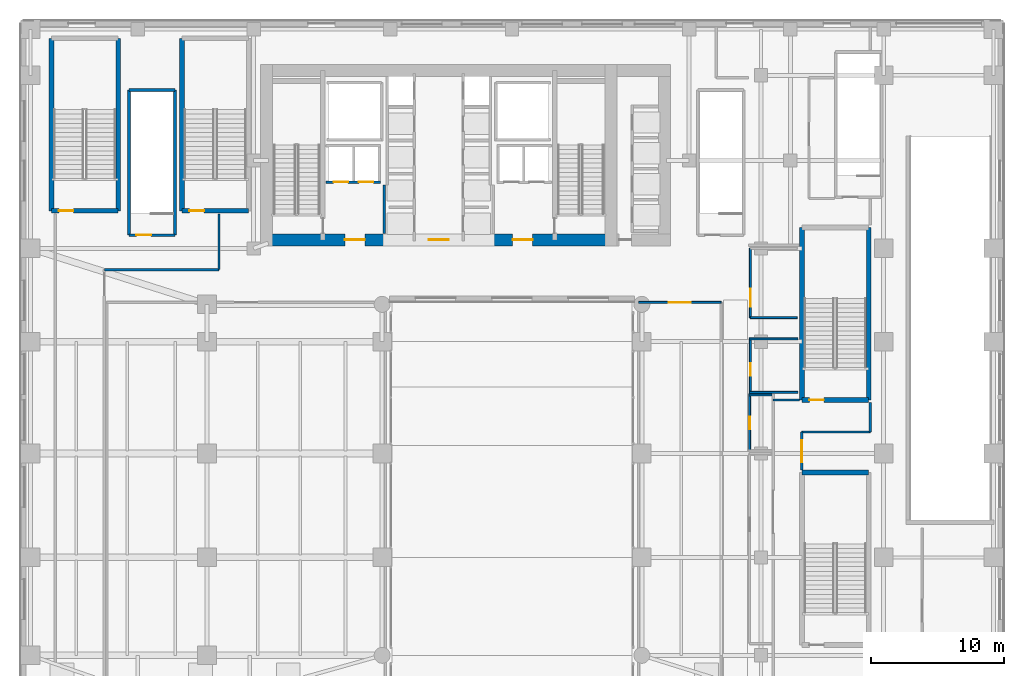
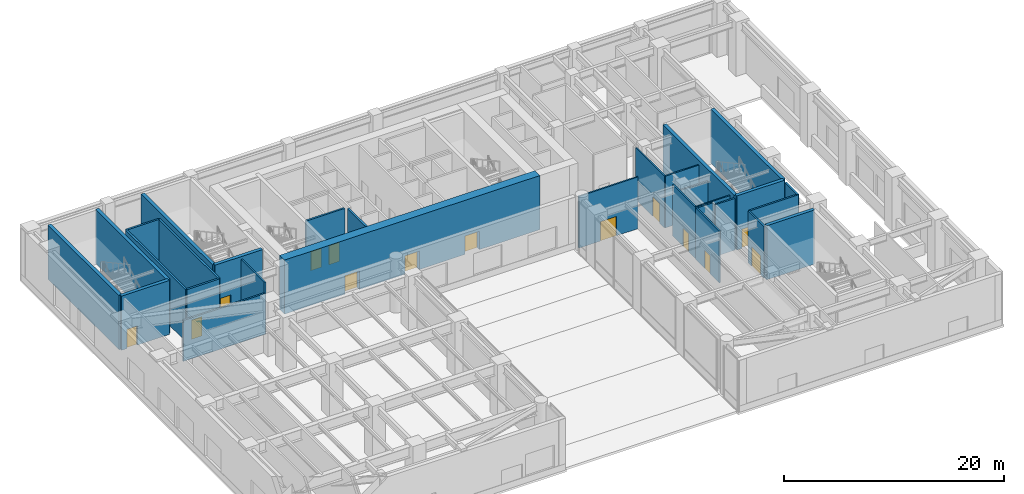
# One storey, part 14 of 28: 30 walls, 14 doors, 14 openings.
"""IFC4 building model written with IfcOpenShell, lengths in metres."""

from ifc_helpers import new_model, si_unit, direction, frame, frame_2d, origin, place, context, subcontext, project, spatial, rectangle, extrude, source, transform, mapped, material, layer, layer_set, type_object, type_shapes, element, fill, save


model = new_model("IFC4")

# Units and contexts
model_context = context("Model", 3, precision=1e-05, world=origin(), true_north=direction((0.0, 1.0)))
body_context = subcontext(model_context, "Body", "Model", "MODEL_VIEW")
ifc_project = project(units=[si_unit("LENGTHUNIT", "METRE"), si_unit("AREAUNIT", "SQUARE_METRE"), si_unit("VOLUMEUNIT", "CUBIC_METRE"), si_unit("PLANEANGLEUNIT", "RADIAN"), si_unit("MASSUNIT", "GRAM", prefix="KILO")], contexts=[model_context])

# Site, building, storey
site_placement = place(None, origin())
site = spatial("IfcSite", under=ifc_project, at=site_placement, CompositionType="ELEMENT")
building_placement = place(site_placement, origin())
building = spatial("IfcBuilding", under=site, at=building_placement, Name="Tolvann Quenvar Hotel", CompositionType="ELEMENT")
storey_placement = place(building_placement, origin())
storey = spatial("IfcBuildingStorey", under=building, at=storey_placement, Name="L00", CompositionType="ELEMENT", Elevation=0.0)

# Wall, openings, doors
ifc_material_1 = material(Name="Concrete S80 (80 MPa)", Category="concrete")
ifc_layer_1 = layer(ifc_material_1, 0.89990234375)
ifc_layer_set_1 = layer_set([ifc_layer_1], Name="Concrete S80 (80 MPa)")
wall_type_1 = type_object("IfcWallType", Name="WALL_CORE_900", PredefinedType="SHEAR", material=ifc_layer_set_1)
wall_1_placement = place(storey_placement, frame((9.60009765625, 32.050048828125, 0.0), z_axis=(0.0, 0.0, 1.0), x_axis=(1.0, 0.0, 0.0)))
wall_1 = element("IfcWall", 1, at=wall_1_placement, inside=storey, type_object=wall_type_1, Name="Rear Core S Shear Wall (L00)", PredefinedType="SHEAR", context=body_context, shape_type="SweptSolid", body=[
    extrude(rectangle(XDim=26.7998046875, YDim=0.89990234375, at=frame_2d((13.39990234375, 0.0))), origin(), (0.0, 0.0, 1.0), 6.0),
])
opening_1_placement = place(wall_1_placement, frame((7.85009765625, 0.0, 0.0), z_axis=(0.0, 0.0, 1.0), x_axis=(-1.0, 0.0, 0.0)))
opening_1 = element("IfcOpeningElement", 2, at=opening_1_placement, cuts=wall_1, Name="Opening FD-60D", PredefinedType="OPENING", context=body_context, shape_type="SweptSolid", body=[
    extrude(rectangle(XDim=1.5, YDim=2.0400390625, at=frame_2d((0.75, 1.02001953125))), frame((0.0, 0.4599609375, 0.0), z_axis=(0.0, -1.0, 0.0), x_axis=(1.0, 0.0, 0.0)), (0.0, 0.0, 1.0), 0.919921875),
])
opening_2_placement = place(wall_1_placement, frame((14.14990234375, 0.0, 0.0), z_axis=(0.0, 0.0, 1.0), x_axis=(-1.0, 0.0, 0.0)))
opening_2 = element("IfcOpeningElement", 3, at=opening_2_placement, cuts=wall_1, Name="Opening FD-60D", PredefinedType="OPENING", context=body_context, shape_type="SweptSolid", body=[
    extrude(rectangle(XDim=1.5, YDim=2.0400390625, at=frame_2d((0.75, 1.02001953125))), frame((0.0, 0.4599609375, 0.0), z_axis=(0.0, -1.0, 0.0), x_axis=(1.0, 0.0, 0.0)), (0.0, 0.0, 1.0), 0.919921875),
])
opening_3_placement = place(wall_1_placement, frame((20.449951171875, 0.0, 0.0), z_axis=(0.0, 0.0, 1.0), x_axis=(-1.0, 0.0, 0.0)))
opening_3 = element("IfcOpeningElement", 4, at=opening_3_placement, cuts=wall_1, Name="Opening FD-60D", PredefinedType="OPENING", context=body_context, shape_type="SweptSolid", body=[
    extrude(rectangle(XDim=1.5, YDim=2.0400390625, at=frame_2d((0.75, 1.02001953125))), frame((0.0, 0.4599609375, 0.0), z_axis=(0.0, -1.0, 0.0), x_axis=(1.0, 0.0, 0.0)), (0.0, 0.0, 1.0), 0.919921875),
])
ifc_material_2 = material(Name="Solid-core American oak acoustic fire door leaf in steel frame", Category="steel")
door_type_1 = type_object("IfcDoorType", Name="DOOR_FIRE_LOBBY_1500", OperationType="NOTDEFINED", PredefinedType="DOOR", material=ifc_material_2)
shared_shape_1 = source(origin(), body_context, "Body", "SweptSolid", [
    extrude(rectangle(XDim=1.5, YDim=2.0400390625, at=frame_2d((0.75, 1.02001953125))), frame((0.0, 0.02490234375, 0.0), z_axis=(0.0, -1.0, 0.0), x_axis=(1.0, 0.0, 0.0)), (0.0, 0.0, 1.0), 0.050048828125),
])
type_shapes(door_type_1, [shared_shape_1])
door_1_placement = place(opening_1_placement, origin())
door_1 = element("IfcDoor", 5, at=door_1_placement, inside=storey, type_object=door_type_1, Name="Core Lobby Fire Door FFW (L00)", OperationType="DOUBLE_DOOR_SINGLE_SWING", OverallHeight=2.0400390625, OverallWidth=1.5, PredefinedType="DOOR", context=body_context, shape_type="MappedRepresentation", body=[
    mapped(shared_shape_1, transform((0.0, 0.0, 0.0), x_axis=(1.0, 0.0, 0.0), y_axis=(0.0, 1.0, 0.0), z_axis=(0.0, 0.0, 1.0), scale=1.0)),
])
fill(opening_1, door_1)
door_2_placement = place(opening_2_placement, origin())
door_2 = element("IfcDoor", 6, at=door_2_placement, inside=storey, type_object=door_type_1, Name="Core Lobby Fire Door CLOB (L00)", OperationType="DOUBLE_DOOR_SINGLE_SWING", OverallHeight=2.0400390625, OverallWidth=1.5, PredefinedType="DOOR", context=body_context, shape_type="MappedRepresentation", body=[
    mapped(shared_shape_1, transform((0.0, 0.0, 0.0), x_axis=(1.0, 0.0, 0.0), y_axis=(0.0, 1.0, 0.0), z_axis=(0.0, 0.0, 1.0), scale=1.0)),
])
fill(opening_2, door_2)
door_3_placement = place(opening_3_placement, origin())
door_3 = element("IfcDoor", 7, at=door_3_placement, inside=storey, type_object=door_type_1, Name="Core Lobby Fire Door FFE (L00)", OperationType="DOUBLE_DOOR_SINGLE_SWING", OverallHeight=2.0400390625, OverallWidth=1.5, PredefinedType="DOOR", context=body_context, shape_type="MappedRepresentation", body=[
    mapped(shared_shape_1, transform((0.0, 0.0, 0.0), x_axis=(1.0, 0.0, 0.0), y_axis=(0.0, 1.0, 0.0), z_axis=(0.0, 0.0, 1.0), scale=1.0)),
])
fill(opening_3, door_3)

# Wall, opening, door
ifc_material_3 = material(Name="Concrete S65 (65 MPa)", Category="concrete")
ifc_layer_2 = layer(ifc_material_3, 0.35009765625)
ifc_layer_set_2 = layer_set([ifc_layer_2], Name="Concrete S65 (65 MPa)")
wall_type_2 = type_object("IfcWallType", Name="WALL_CORE_INT_350", PredefinedType="SHEAR", material=ifc_layer_set_2)
wall_2_placement = place(storey_placement, frame((-6.074951171875, 34.22509765625, 0.0), z_axis=(0.0, 0.0, 1.0), x_axis=(1.0, 0.0, 0.0)))
wall_2 = element("IfcWall", 8, at=wall_2_placement, inside=storey, type_object=wall_type_2, Name="Stairwell ST-P1 Structural Shaft Wall S (L00)", PredefinedType="SHEAR", context=body_context, shape_type="SweptSolid", body=[
    extrude(rectangle(XDim=5.0, YDim=0.35009765625, at=frame_2d((2.5, 0.0))), origin(), (0.0, 0.0, 1.0), 6.0),
])
opening_4_placement = place(wall_2_placement, frame((1.650146484375, 0.0, 0.0), z_axis=(0.0, 0.0, 1.0), x_axis=(-1.0, 0.0, 0.0)))
opening_4 = element("IfcOpeningElement", 9, at=opening_4_placement, cuts=wall_2, Name="Opening FD-120", PredefinedType="OPENING", context=body_context, shape_type="SweptSolid", body=[
    extrude(rectangle(XDim=1.10009765625, YDim=2.1201171875, at=frame_2d((0.550048828125, 1.06005859375))), frame((0.0, 0.18505859375, 0.0), z_axis=(0.0, -1.0, 0.0), x_axis=(1.0, 0.0, 0.0)), (0.0, 0.0, 1.0), 0.3701171875),
])
ifc_material_4 = material(Name="Pressed galvanised steel fire-rated door set", Category="steel")
door_type_2 = type_object("IfcDoorType", Name="DOOR_FIRE_STAIR_1100", OperationType="NOTDEFINED", PredefinedType="DOOR", material=ifc_material_4)
shared_shape_2 = source(origin(), body_context, "Body", "SweptSolid", [
    extrude(rectangle(XDim=1.10009765625, YDim=2.1201171875, at=frame_2d((0.550048828125, 1.06005859375))), frame((0.0, 0.02490234375, 0.0), z_axis=(0.0, -1.0, 0.0), x_axis=(1.0, 0.0, 0.0)), (0.0, 0.0, 1.0), 0.050048828125),
])
type_shapes(door_type_2, [shared_shape_2])
door_4_placement = place(opening_4_placement, origin())
door_4 = element("IfcDoor", 10, at=door_4_placement, inside=storey, type_object=door_type_2, Name="Exit Stair ST-P1 Fire Door (L00)", OperationType="SINGLE_SWING_LEFT", OverallHeight=2.1201171875, OverallWidth=1.10009765625, PredefinedType="DOOR", context=body_context, shape_type="MappedRepresentation", body=[
    mapped(shared_shape_2, transform((0.0, 0.0, 0.0), x_axis=(1.0, 0.0, 0.0), y_axis=(0.0, 1.0, 0.0), z_axis=(0.0, 0.0, 1.0), scale=1.0)),
])
fill(opening_4, door_4)

# Walls
for number, where, z_axis, x_axis, name in (
    (11, (-1.074951171875, 34.22509765625, 0.0), (0.0, 0.0, 1.0), (0.0, 1.0, 0.0), "Stairwell ST-P1 Structural Shaft Wall E (L00)"),
    (12, (-6.074951171875, 47.175048828125, 0.0), (0.0, 0.0, 1.0), (0.0, -1.0, 0.0), "Stairwell ST-P1 Structural Shaft Wall W (L00)"),
):
    element("IfcWall", number, at=place(storey_placement, frame(where, z_axis=z_axis, x_axis=x_axis)), inside=storey, type_object=wall_type_2, Name=name, PredefinedType="SHEAR", context=body_context, shape_type="SweptSolid", body=[
        extrude(rectangle(XDim=12.949951171875, YDim=0.35009765625, at=frame_2d((6.47509765625, 0.0))), origin(), (0.0, 0.0, 1.0), 6.0),
    ])

# Wall, opening, door
wall_3_placement = place(storey_placement, frame((3.72509765625, 34.22509765625, 0.0), z_axis=(0.0, 0.0, 1.0), x_axis=(1.0, 0.0, 0.0)))
wall_3 = element("IfcWall", 13, at=wall_3_placement, inside=storey, type_object=wall_type_2, Name="Stairwell ST-P2 Structural Shaft Wall S (L00)", PredefinedType="SHEAR", context=body_context, shape_type="SweptSolid", body=[
    extrude(rectangle(XDim=5.0, YDim=0.35009765625, at=frame_2d((2.5, 0.0))), origin(), (0.0, 0.0, 1.0), 6.0),
])
opening_5_placement = place(wall_3_placement, frame((1.650146484375, 0.0, 0.0), z_axis=(0.0, 0.0, 1.0), x_axis=(-1.0, 0.0, 0.0)))
opening_5 = element("IfcOpeningElement", 14, at=opening_5_placement, cuts=wall_3, Name="Opening FD-120", PredefinedType="OPENING", context=body_context, shape_type="SweptSolid", body=[
    extrude(rectangle(XDim=1.10009765625, YDim=2.1201171875, at=frame_2d((0.550048828125, 1.06005859375))), frame((0.0, 0.18505859375, 0.0), z_axis=(0.0, -1.0, 0.0), x_axis=(1.0, 0.0, 0.0)), (0.0, 0.0, 1.0), 0.3701171875),
])
door_5_placement = place(opening_5_placement, origin())
door_5 = element("IfcDoor", 15, at=door_5_placement, inside=storey, type_object=door_type_2, Name="Exit Stair ST-P2 Fire Door (L00)", OperationType="SINGLE_SWING_RIGHT", OverallHeight=2.1201171875, OverallWidth=1.10009765625, PredefinedType="DOOR", context=body_context, shape_type="MappedRepresentation", body=[
    mapped(shared_shape_2, transform((0.0, 0.0, 0.0), x_axis=(1.0, 0.0, 0.0), y_axis=(0.0, 1.0, 0.0), z_axis=(0.0, 0.0, 1.0), scale=1.0)),
])
fill(opening_5, door_5)

# Walls
wall_4_placement = place(storey_placement, frame((3.72509765625, 47.175048828125, 0.0), z_axis=(0.0, 0.0, 1.0), x_axis=(0.0, -1.0, 0.0)))
element("IfcWall", 16, at=wall_4_placement, inside=storey, type_object=wall_type_2, Name="Stairwell ST-P2 Structural Shaft Wall W (L00)", PredefinedType="SHEAR", context=body_context, shape_type="SweptSolid", body=[
    extrude(rectangle(XDim=12.949951171875, YDim=0.35009765625, at=frame_2d((6.47509765625, 0.0))), origin(), (0.0, 0.0, 1.0), 6.0),
])
wall_5_placement = place(storey_placement, frame((55.27490234375, 14.574951171875, 0.0), z_axis=(0.0, 0.0, 1.0), x_axis=(-1.0, 0.0, 0.0)))
element("IfcWall", 17, at=wall_5_placement, inside=storey, type_object=wall_type_2, Name="Stairwell ST-P3 Structural Shaft Wall N (L00)", PredefinedType="SHEAR", context=body_context, shape_type="SweptSolid", body=[
    extrude(rectangle(XDim=5.0, YDim=0.35009765625, at=frame_2d((2.5, 0.0))), origin(), (0.0, 0.0, 1.0), 6.0),
])

# Wall, opening, door
wall_6_placement = place(storey_placement, frame((50.27490234375, 20.02490234375, 0.0), z_axis=(0.0, 0.0, 1.0), x_axis=(1.0, 0.0, 0.0)))
wall_6 = element("IfcWall", 18, at=wall_6_placement, inside=storey, type_object=wall_type_2, Name="Stairwell ST-P4 Structural Shaft Wall S (L00)", PredefinedType="SHEAR", context=body_context, shape_type="SweptSolid", body=[
    extrude(rectangle(XDim=5.0, YDim=0.35009765625, at=frame_2d((2.5, 0.0))), origin(), (0.0, 0.0, 1.0), 6.0),
])
opening_6_placement = place(wall_6_placement, frame((1.650146484375, 0.0, 0.0), z_axis=(0.0, 0.0, 1.0), x_axis=(-1.0, 0.0, 0.0)))
opening_6 = element("IfcOpeningElement", 19, at=opening_6_placement, cuts=wall_6, Name="Opening FD-120", PredefinedType="OPENING", context=body_context, shape_type="SweptSolid", body=[
    extrude(rectangle(XDim=1.10009765625, YDim=2.1201171875, at=frame_2d((0.550048828125, 1.06005859375))), frame((0.0, 0.18505859375, 0.0), z_axis=(0.0, -1.0, 0.0), x_axis=(1.0, 0.0, 0.0)), (0.0, 0.0, 1.0), 0.3701171875),
])
door_6_placement = place(opening_6_placement, origin())
door_6 = element("IfcDoor", 20, at=door_6_placement, inside=storey, type_object=door_type_2, Name="Exit Stair ST-P4 Fire Door (L00)", OperationType="SINGLE_SWING_RIGHT", OverallHeight=2.1201171875, OverallWidth=1.10009765625, PredefinedType="DOOR", context=body_context, shape_type="MappedRepresentation", body=[
    mapped(shared_shape_2, transform((0.0, 0.0, 0.0), x_axis=(1.0, 0.0, 0.0), y_axis=(0.0, 1.0, 0.0), z_axis=(0.0, 0.0, 1.0), scale=1.0)),
])
fill(opening_6, door_6)

# Walls
for number, where, z_axis, x_axis, name in (
    (21, (55.27490234375, 20.02490234375, 0.0), (0.0, 0.0, 1.0), (0.0, 1.0, 0.0), "Stairwell ST-P4 Structural Shaft Wall E (L00)"),
    (22, (50.27490234375, 32.97509765625, 0.0), (0.0, 0.0, 1.0), (0.0, -1.0, 0.0), "Stairwell ST-P4 Structural Shaft Wall W (L00)"),
):
    element("IfcWall", number, at=place(storey_placement, frame(where, z_axis=z_axis, x_axis=x_axis)), inside=storey, type_object=wall_type_2, Name=name, PredefinedType="SHEAR", context=body_context, shape_type="SweptSolid", body=[
        extrude(rectangle(XDim=12.9501953125, YDim=0.35009765625, at=frame_2d((6.47509765625, 0.0))), origin(), (0.0, 0.0, 1.0), 6.0),
    ])
ifc_material_5 = material(Name="Acoustic twin-stud fire-rated gypsum plasterboard partition")
ifc_layer_3 = layer(ifc_material_5, 0.179931640625)
ifc_layer_set_3 = layer_set([ifc_layer_3], Name="Acoustic twin-stud fire-rated gypsum plasterboard partition")
wall_type_3 = type_object("IfcWallType", Name="WALL_PART_ACOUSTIC_180", PredefinedType="PARTITIONING", material=ifc_layer_set_3)
wall_7_placement = place(storey_placement, frame((-2.10009765625, 29.800048828125, 0.0), z_axis=(0.0, 0.0, 1.0), x_axis=(1.0, 0.0, 0.0)))
element("IfcWall", 23, at=wall_7_placement, inside=storey, type_object=wall_type_3, Name="Interior Partition PT-SPC-L00-EDP-NW-E3", PredefinedType="PARTITIONING", context=body_context, shape_type="SweptSolid", body=[
    extrude(rectangle(XDim=8.60009765625, YDim=0.179931640625, at=frame_2d((4.300048828125, 0.0))), origin(), (0.0, 0.0, 1.0), 4.530029296875),
])
wall_8_placement = place(storey_placement, frame((6.5, 29.800048828125, 0.0), z_axis=(0.0, 0.0, 1.0), x_axis=(0.0, 1.0, 0.0)))
element("IfcWall", 24, at=wall_8_placement, inside=storey, type_object=wall_type_3, Name="Interior Partition PT-SPC-L00-EDP-NW-E4", PredefinedType="PARTITIONING", context=body_context, shape_type="SweptSolid", body=[
    extrude(rectangle(XDim=4.195068359375, YDim=0.179931640625, at=frame_2d((2.09765625, 0.0))), origin(), (0.0, 0.0, 1.0), 5.739990234375),
])

# Wall, opening, door
wall_9_placement = place(storey_placement, frame((50.25, 14.75, 0.0), z_axis=(0.0, 0.0, 1.0), x_axis=(0.0, 1.0, 0.0)))
wall_9 = element("IfcWall", 25, at=wall_9_placement, inside=storey, type_object=wall_type_3, Name="Interior Partition PT-SPC-L00-EDP-SE-E4", PredefinedType="PARTITIONING", context=body_context, shape_type="SweptSolid", body=[
    extrude(rectangle(XDim=2.8701171875, YDim=0.179931640625, at=frame_2d((1.43505859375, 0.0))), origin(), (0.0, 0.0, 1.0), 5.739990234375),
])
opening_7_placement = place(wall_9_placement, frame((0.610107421875, 0.0, 0.0)))
opening_7 = element("IfcOpeningElement", 26, at=opening_7_placement, cuts=wall_9, Name="Opening AD-01", PredefinedType="OPENING", context=body_context, shape_type="SweptSolid", body=[
    extrude(rectangle(XDim=1.64990234375, YDim=2.14990234375, at=frame_2d((0.824951171875, 1.074951171875))), frame((0.0, 0.10009765625, 0.0), z_axis=(0.0, -1.0, 0.0), x_axis=(1.0, 0.0, 0.0)), (0.0, 0.0, 1.0), 0.199951171875),
])
door_type_3 = type_object("IfcDoorType", Name="DOOR_SALON_1650", OperationType="NOTDEFINED", PredefinedType="DOOR", material=ifc_material_2)
shared_shape_3 = source(origin(), body_context, "Body", "SweptSolid", [
    extrude(rectangle(XDim=1.64990234375, YDim=2.14990234375, at=frame_2d((0.824951171875, 1.074951171875))), frame((0.0, 0.02490234375, 0.0), z_axis=(0.0, -1.0, 0.0), x_axis=(1.0, 0.0, 0.0)), (0.0, 0.0, 1.0), 0.050048828125),
])
type_shapes(door_type_3, [shared_shape_3])
door_7_placement = place(opening_7_placement, origin())
door_7 = element("IfcDoor", 27, at=door_7_placement, inside=storey, type_object=door_type_3, Name="Interior Door DOOR-SPC-L00-EDP-SE", OperationType="DOUBLE_DOOR_SINGLE_SWING", OverallHeight=2.14990234375, OverallWidth=1.64990234375, PredefinedType="DOOR", context=body_context, shape_type="MappedRepresentation", body=[
    mapped(shared_shape_3, transform((0.0, 0.0, 0.0), x_axis=(1.0, 0.0, 0.0), y_axis=(0.0, 1.0, 0.0), z_axis=(0.0, 0.0, 1.0), scale=1.0)),
])
fill(opening_7, door_7)

# Walls
wall_10_placement = place(storey_placement, frame((50.25, 17.6201171875, 0.0), z_axis=(0.0, 0.0, 1.0), x_axis=(1.0, 0.0, 0.0)))
element("IfcWall", 28, at=wall_10_placement, inside=storey, type_object=wall_type_3, Name="Interior Partition PT-SPC-L00-EDP-SE-E5", PredefinedType="PARTITIONING", context=body_context, shape_type="SweptSolid", body=[
    extrude(rectangle(XDim=5.14990234375, YDim=0.179931640625, at=frame_2d((2.574951171875, 0.0))), origin(), (0.0, 0.0, 1.0), 5.739990234375),
])
wall_11_placement = place(storey_placement, frame((55.39990234375, 17.6201171875, 0.0), z_axis=(0.0, 0.0, 1.0), x_axis=(0.0, 1.0, 0.0)))
element("IfcWall", 29, at=wall_11_placement, inside=storey, type_object=wall_type_3, Name="Interior Partition PT-SPC-L00-EDP-SE-E6", PredefinedType="PARTITIONING", context=body_context, shape_type="SweptSolid", body=[
    extrude(rectangle(XDim=2.22998046875, YDim=0.179931640625, at=frame_2d((1.114990234375, 0.0))), origin(), (0.0, 0.0, 1.0), 5.739990234375),
])
wall_12_placement = place(storey_placement, frame((48.10009765625, 20.02001953125, 0.0), z_axis=(0.0, 0.0, 1.0), x_axis=(1.0, 0.0, 0.0)))
element("IfcWall", 30, at=wall_12_placement, inside=storey, type_object=wall_type_3, Name="Interior Partition PT-SPC-L00-EDP-SE-E7", PredefinedType="PARTITIONING", context=body_context, shape_type="SweptSolid", body=[
    extrude(rectangle(XDim=2.0, YDim=0.179931640625, at=frame_2d((1.0, 0.0))), origin(), (0.0, 0.0, 1.0), 5.739990234375),
])

# Wall, opening, door
ifc_layer_4 = layer(ifc_material_5, 0.14990234375)
ifc_layer_set_4 = layer_set([ifc_layer_4], Name="Acoustic twin-stud fire-rated gypsum plasterboard partition")
wall_type_4 = type_object("IfcWallType", Name="WALL_PART_SUITE_150", PredefinedType="PARTITIONING", material=ifc_layer_set_4)
wall_13_placement = place(storey_placement, frame((46.39990234375, 26.199951171875, 0.0), z_axis=(0.0, 0.0, 1.0), x_axis=(0.0, 1.0, 0.0)))
wall_13 = element("IfcWall", 31, at=wall_13_placement, inside=storey, type_object=wall_type_4, Name="Interior Partition PT-SPC-L00-FCC-ENT", PredefinedType="PARTITIONING", context=body_context, shape_type="SweptSolid", body=[
    extrude(rectangle(XDim=5.199951171875, YDim=0.14990234375, at=frame_2d((2.60009765625, 0.0))), origin(), (0.0, 0.0, 1.0), 5.739990234375),
])
opening_8_placement = place(wall_13_placement, frame((0.824951171875, 0.0, 0.0)))
opening_8 = element("IfcOpeningElement", 32, at=opening_8_placement, cuts=wall_13, Name="Opening PD-01", PredefinedType="OPENING", context=body_context, shape_type="SweptSolid", body=[
    extrude(rectangle(XDim=1.35009765625, YDim=2.14990234375, at=frame_2d((0.675048828125, 1.074951171875))), frame((0.0, 0.0849609375, 0.0), z_axis=(0.0, -1.0, 0.0), x_axis=(1.0, 0.0, 0.0)), (0.0, 0.0, 1.0), 0.169921875),
])
door_type_4 = type_object("IfcDoorType", Name="DOOR_PLANT_1350", OperationType="NOTDEFINED", PredefinedType="DOOR", material=ifc_material_4)
shared_shape_4 = source(origin(), body_context, "Body", "SweptSolid", [
    extrude(rectangle(XDim=1.35009765625, YDim=2.14990234375, at=frame_2d((0.675048828125, 1.074951171875))), frame((0.0, 0.02490234375, 0.0), z_axis=(0.0, -1.0, 0.0), x_axis=(1.0, 0.0, 0.0)), (0.0, 0.0, 1.0), 0.050048828125),
])
type_shapes(door_type_4, [shared_shape_4])
door_8_placement = place(opening_8_placement, origin())
door_8 = element("IfcDoor", 33, at=door_8_placement, inside=storey, type_object=door_type_4, Name="Interior Door DOOR-SPC-L00-FCC", OperationType="DOUBLE_DOOR_SINGLE_SWING", OverallHeight=2.14990234375, OverallWidth=1.35009765625, PredefinedType="DOOR", context=body_context, shape_type="MappedRepresentation", body=[
    mapped(shared_shape_4, transform((0.0, 0.0, 0.0), x_axis=(1.0, 0.0, 0.0), y_axis=(0.0, 1.0, 0.0), z_axis=(0.0, 0.0, 1.0), scale=1.0)),
])
fill(opening_8, door_8)

# Wall
wall_14_placement = place(storey_placement, frame((46.39990234375, 26.199951171875, 0.0), z_axis=(0.0, 0.0, 1.0), x_axis=(1.0, 0.0, 0.0)))
element("IfcWall", 34, at=wall_14_placement, inside=storey, type_object=wall_type_4, Name="Interior Partition PT-SPC-L00-FCC-S", PredefinedType="PARTITIONING", context=body_context, shape_type="SweptSolid", body=[
    extrude(rectangle(XDim=3.5, YDim=0.14990234375, at=frame_2d((1.75, 0.0))), origin(), (0.0, 0.0, 1.0), 5.739990234375),
])

# Wall, opening, door
wall_15_placement = place(storey_placement, frame((38.0, 27.35009765625, 0.0), z_axis=(0.0, 0.0, 1.0), x_axis=(1.0, 0.0, 0.0)))
wall_15 = element("IfcWall", 35, at=wall_15_placement, inside=storey, type_object=wall_type_4, Name="Interior Partition PT-SPC-L00-TICK-N", PredefinedType="PARTITIONING", context=body_context, shape_type="SweptSolid", body=[
    extrude(rectangle(XDim=6.199951171875, YDim=0.14990234375, at=frame_2d((3.10009765625, 0.0))), origin(), (0.0, 0.0, 1.0), 5.739990234375),
])
opening_9_placement = place(wall_15_placement, frame((2.27490234375, 0.0, 0.0)))
opening_9 = element("IfcOpeningElement", 36, at=opening_9_placement, cuts=wall_15, Name="Opening AD-01", PredefinedType="OPENING", context=body_context, shape_type="SweptSolid", body=[
    extrude(rectangle(XDim=1.64990234375, YDim=2.14990234375, at=frame_2d((0.824951171875, 1.074951171875))), frame((0.0, 0.0849609375, 0.0), z_axis=(0.0, -1.0, 0.0), x_axis=(1.0, 0.0, 0.0)), (0.0, 0.0, 1.0), 0.169921875),
])
door_9_placement = place(opening_9_placement, origin())
door_9 = element("IfcDoor", 37, at=door_9_placement, inside=storey, type_object=door_type_3, Name="Interior Door DOOR-SPC-L00-TICK", OperationType="DOUBLE_DOOR_SINGLE_SWING", OverallHeight=2.14990234375, OverallWidth=1.64990234375, PredefinedType="DOOR", context=body_context, shape_type="MappedRepresentation", body=[
    mapped(shared_shape_3, transform((0.0, 0.0, 0.0), x_axis=(1.0, 0.0, 0.0), y_axis=(0.0, 1.0, 0.0), z_axis=(0.0, 0.0, 1.0), scale=1.0)),
])
fill(opening_9, door_9)

# Wall
wall_16_placement = place(storey_placement, frame((46.280029296875, 20.39990234375, 0.0), z_axis=(0.0, 0.0, 1.0), x_axis=(1.0, 0.0, 0.0)))
element("IfcWall", 38, at=wall_16_placement, inside=storey, type_object=wall_type_4, Name="Interior Partition PT-SPC-L00-WCW-N", PredefinedType="PARTITIONING", context=body_context, shape_type="SweptSolid", body=[
    extrude(rectangle(XDim=1.739990234375, YDim=0.14990234375, at=frame_2d((0.8701171875, 0.0))), origin(), (0.0, 0.0, 1.0), 5.739990234375),
])

# Wall, opening, door
wall_17_placement = place(storey_placement, frame((46.35009765625, 16.1298828125, 0.0), z_axis=(0.0, 0.0, 1.0), x_axis=(0.0, 1.0, 0.0)))
wall_17 = element("IfcWall", 39, at=wall_17_placement, inside=storey, type_object=wall_type_4, Name="Interior Partition PT-SPC-L00-WCW-W", PredefinedType="PARTITIONING", context=body_context, shape_type="SweptSolid", body=[
    extrude(rectangle(XDim=4.340087890625, YDim=0.14990234375, at=frame_2d((2.169921875, 0.0))), origin(), (0.0, 0.0, 1.0), 5.739990234375),
])
opening_10_placement = place(wall_17_placement, frame((1.7099609375, 0.0, 0.0)))
opening_10 = element("IfcOpeningElement", 40, at=opening_10_placement, cuts=wall_17, Name="Opening WD-01", PredefinedType="OPENING", context=body_context, shape_type="SweptSolid", body=[
    extrude(rectangle(XDim=0.919921875, YDim=2.010009765625, at=frame_2d((0.4599609375, 1.0048828125))), frame((0.0, 0.0849609375, 0.0), z_axis=(0.0, -1.0, 0.0), x_axis=(1.0, 0.0, 0.0)), (0.0, 0.0, 1.0), 0.169921875),
])
door_type_5 = type_object("IfcDoorType", Name="DOOR_WC_920", OperationType="NOTDEFINED", PredefinedType="DOOR", material=ifc_material_2)
shared_shape_5 = source(origin(), body_context, "Body", "SweptSolid", [
    extrude(rectangle(XDim=0.919921875, YDim=2.010009765625, at=frame_2d((0.4599609375, 1.0048828125))), frame((0.0, 0.02490234375, 0.0), z_axis=(0.0, -1.0, 0.0), x_axis=(1.0, 0.0, 0.0)), (0.0, 0.0, 1.0), 0.050048828125),
])
type_shapes(door_type_5, [shared_shape_5])
door_10_placement = place(opening_10_placement, origin())
door_10 = element("IfcDoor", 41, at=door_10_placement, inside=storey, type_object=door_type_5, Name="Interior Door DOOR-SPC-L00-WCW", OperationType="SINGLE_SWING_LEFT", OverallHeight=2.010009765625, OverallWidth=0.919921875, PredefinedType="DOOR", context=body_context, shape_type="MappedRepresentation", body=[
    mapped(shared_shape_5, transform((0.0, 0.0, 0.0), x_axis=(1.0, 0.0, 0.0), y_axis=(0.0, 1.0, 0.0), z_axis=(0.0, 0.0, 1.0), scale=1.0)),
])
fill(opening_10, door_10)

# Walls
wall_18_placement = place(storey_placement, frame((46.330078125, 20.60009765625, 0.0), z_axis=(0.0, 0.0, 1.0), x_axis=(1.0, 0.0, 0.0)))
element("IfcWall", 42, at=wall_18_placement, inside=storey, type_object=wall_type_4, Name="Interior Partition PT-SPC-L00-WCA-S", PredefinedType="PARTITIONING", context=body_context, shape_type="SweptSolid", body=[
    extrude(rectangle(XDim=3.639892578125, YDim=0.14990234375, at=frame_2d((1.81982421875, 0.0))), origin(), (0.0, 0.0, 1.0), 5.739990234375),
])
wall_19_placement = place(storey_placement, frame((46.330078125, 24.60009765625, 0.0), z_axis=(0.0, 0.0, 1.0), x_axis=(1.0, 0.0, 0.0)))
element("IfcWall", 43, at=wall_19_placement, inside=storey, type_object=wall_type_4, Name="Interior Partition PT-SPC-L00-WCA-N", PredefinedType="PARTITIONING", context=body_context, shape_type="SweptSolid", body=[
    extrude(rectangle(XDim=3.639892578125, YDim=0.14990234375, at=frame_2d((1.81982421875, 0.0))), origin(), (0.0, 0.0, 1.0), 4.9140625),
])

# Wall, opening, door
wall_20_placement = place(storey_placement, frame((46.39990234375, 20.530029296875, 0.0), z_axis=(0.0, 0.0, 1.0), x_axis=(0.0, 1.0, 0.0)))
wall_20 = element("IfcWall", 44, at=wall_20_placement, inside=storey, type_object=wall_type_4, Name="Interior Partition PT-SPC-L00-WCA-W", PredefinedType="PARTITIONING", context=body_context, shape_type="SweptSolid", body=[
    extrude(rectangle(XDim=4.139892578125, YDim=0.14990234375, at=frame_2d((2.06982421875, 0.0))), origin(), (0.0, 0.0, 1.0), 5.739990234375),
])
opening_11_placement = place(wall_20_placement, frame((1.31005859375, 0.0, 0.0)))
opening_11 = element("IfcOpeningElement", 45, at=opening_11_placement, cuts=wall_20, Name="Opening WD-01", PredefinedType="OPENING", context=body_context, shape_type="SweptSolid", body=[
    extrude(rectangle(XDim=0.919921875, YDim=2.010009765625, at=frame_2d((0.4599609375, 1.0048828125))), frame((0.0, 0.0849609375, 0.0), z_axis=(0.0, -1.0, 0.0), x_axis=(1.0, 0.0, 0.0)), (0.0, 0.0, 1.0), 0.169921875),
])
door_11_placement = place(opening_11_placement, origin())
door_11 = element("IfcDoor", 46, at=door_11_placement, inside=storey, type_object=door_type_5, Name="Interior Door DOOR-SPC-L00-WCA", OperationType="SINGLE_SWING_RIGHT", OverallHeight=2.010009765625, OverallWidth=0.919921875, PredefinedType="DOOR", context=body_context, shape_type="MappedRepresentation", body=[
    mapped(shared_shape_5, transform((0.0, 0.0, 0.0), x_axis=(1.0, 0.0, 0.0), y_axis=(0.0, 1.0, 0.0), z_axis=(0.0, 0.0, 1.0), scale=1.0)),
])
fill(opening_11, door_11)

ifc_material_6 = material(Name="Concrete N40 (40 MPa)", Category="concrete")
ifc_layer_5 = layer(ifc_material_6, 0.199951171875)
ifc_layer_set_5 = layer_set([ifc_layer_5], Name="Concrete N40 (40 MPa)")
wall_type_5 = type_object("IfcWallType", Name="WALL_SHAFT_200", PredefinedType="SOLIDWALL", material=ifc_layer_set_5)
wall_21_placement = place(storey_placement, frame((-0.25, 32.39990234375, 0.0), z_axis=(0.0, 0.0, 1.0), x_axis=(1.0, 0.0, 0.0)))
wall_21 = element("IfcWall", 47, at=wall_21_placement, inside=storey, type_object=wall_type_5, Name="Stairwell ST-B1 Fire Wall S (L00)", PredefinedType="SOLIDWALL", context=body_context, shape_type="SweptSolid", body=[
    extrude(rectangle(XDim=3.449951171875, YDim=0.199951171875, at=frame_2d((1.72509765625, 0.0))), origin(), (0.0, 0.0, 1.0), 5.739990234375),
])
opening_12_placement = place(wall_21_placement, frame((1.650146484375, 0.0, 0.0), z_axis=(0.0, 0.0, 1.0), x_axis=(-1.0, 0.0, 0.0)))
opening_12 = element("IfcOpeningElement", 48, at=opening_12_placement, cuts=wall_21, Name="Opening FD-120", PredefinedType="OPENING", context=body_context, shape_type="SweptSolid", body=[
    extrude(rectangle(XDim=1.10009765625, YDim=2.1201171875, at=frame_2d((0.550048828125, 1.06005859375))), frame((0.0, 0.10986328125, 0.0), z_axis=(0.0, -1.0, 0.0), x_axis=(1.0, 0.0, 0.0)), (0.0, 0.0, 1.0), 0.219970703125),
])
door_12_placement = place(opening_12_placement, origin())
door_12 = element("IfcDoor", 49, at=door_12_placement, inside=storey, type_object=door_type_2, Name="Exit Stair ST-B1 Fire Door (L00)", OperationType="SINGLE_SWING_RIGHT", OverallHeight=2.1201171875, OverallWidth=1.10009765625, PredefinedType="DOOR", context=body_context, shape_type="MappedRepresentation", body=[
    mapped(shared_shape_2, transform((0.0, 0.0, 0.0), x_axis=(1.0, 0.0, 0.0), y_axis=(0.0, 1.0, 0.0), z_axis=(0.0, 0.0, 1.0), scale=1.0)),
])
fill(opening_12, door_12)

# Walls
wall_22_placement = place(storey_placement, frame((3.199951171875, 32.39990234375, 0.0), z_axis=(0.0, 0.0, 1.0), x_axis=(0.0, 1.0, 0.0)))
element("IfcWall", 50, at=wall_22_placement, inside=storey, type_object=wall_type_5, Name="Stairwell ST-B1 Fire Wall E (L00)", PredefinedType="SOLIDWALL", context=body_context, shape_type="SweptSolid", body=[
    extrude(rectangle(XDim=10.900146484375, YDim=0.199951171875, at=frame_2d((5.4501953125, 0.0))), origin(), (0.0, 0.0, 1.0), 5.739990234375),
])
wall_23_placement = place(storey_placement, frame((3.199951171875, 43.300048828125, 0.0), z_axis=(0.0, 0.0, 1.0), x_axis=(-1.0, 0.0, 0.0)))
element("IfcWall", 51, at=wall_23_placement, inside=storey, type_object=wall_type_5, Name="Stairwell ST-B1 Fire Wall N (L00)", PredefinedType="SOLIDWALL", context=body_context, shape_type="SweptSolid", body=[
    extrude(rectangle(XDim=3.449951171875, YDim=0.199951171875, at=frame_2d((1.72509765625, 0.0))), origin(), (0.0, 0.0, 1.0), 5.739990234375),
])
wall_24_placement = place(storey_placement, frame((-0.25, 43.300048828125, 0.0), z_axis=(0.0, 0.0, 1.0), x_axis=(0.0, -1.0, 0.0)))
element("IfcWall", 52, at=wall_24_placement, inside=storey, type_object=wall_type_5, Name="Stairwell ST-B1 Fire Wall W (L00)", PredefinedType="SOLIDWALL", context=body_context, shape_type="SweptSolid", body=[
    extrude(rectangle(XDim=10.900146484375, YDim=0.199951171875, at=frame_2d((5.4501953125, 0.0))), origin(), (0.0, 0.0, 1.0), 5.739990234375),
])
wall_25_placement = place(storey_placement, frame((18.919921875, 32.50390625, 0.0), z_axis=(0.0, 0.0, 1.0), x_axis=(0.0, 1.0, 0.0)))
element("IfcWall", 53, at=wall_25_placement, inside=storey, type_object=wall_type_5, Name="Firefighting Lobby W Inner Fire Wall (L00)", PredefinedType="SOLIDWALL", context=body_context, shape_type="SweptSolid", body=[
    extrude(rectangle(XDim=3.64599609375, YDim=0.199951171875, at=frame_2d((1.822998046875, 0.0))), origin(), (0.0, 0.0, 1.0), 5.739990234375),
])

# Wall, openings, doors
wall_26_placement = place(storey_placement, frame((14.550048828125, 36.3798828125, 0.0), z_axis=(0.0, 0.0, 1.0), x_axis=(1.0, 0.0, 0.0)))
wall_26 = element("IfcWall", 54, at=wall_26_placement, inside=storey, type_object=wall_type_5, Name="Lift Bank SWC1 Hoistway Front Wall (L00)", PredefinedType="SOLIDWALL", context=body_context, shape_type="SweptSolid", body=[
    extrude(rectangle(XDim=4.074951171875, YDim=0.199951171875, at=frame_2d((2.03759765625, 0.0))), origin(), (0.0, 0.0, 1.0), 5.739990234375),
])
opening_13_placement = place(wall_26_placement, frame((0.550048828125, 0.0, 0.0)))
opening_13 = element("IfcOpeningElement", 55, at=opening_13_placement, cuts=wall_26, Name="Opening LD-01", PredefinedType="OPENING", context=body_context, shape_type="SweptSolid", body=[
    extrude(rectangle(XDim=1.10009765625, YDim=2.1201171875, at=frame_2d((0.550048828125, 1.06005859375))), frame((0.0, 0.10986328125, 0.0), z_axis=(0.0, -1.0, 0.0), x_axis=(1.0, 0.0, 0.0)), (0.0, 0.0, 1.0), 0.219970703125),
])
opening_14_placement = place(wall_26_placement, frame((2.449951171875, 0.0, 0.0)))
opening_14 = element("IfcOpeningElement", 56, at=opening_14_placement, cuts=wall_26, Name="Opening LD-01", PredefinedType="OPENING", context=body_context, shape_type="SweptSolid", body=[
    extrude(rectangle(XDim=1.10009765625, YDim=2.1201171875, at=frame_2d((0.550048828125, 1.06005859375))), frame((0.0, 0.10986328125, 0.0), z_axis=(0.0, -1.0, 0.0), x_axis=(1.0, 0.0, 0.0)), (0.0, 0.0, 1.0), 0.219970703125),
])
ifc_material_7 = material(Name="Brushed 316 stainless steel automatic sliding lift landing door", Category="steel")
door_type_6 = type_object("IfcDoorType", Name="DOOR_LIFT_SLIDE_1100", OperationType="NOTDEFINED", PredefinedType="DOOR", material=ifc_material_7)
shared_shape_6 = source(origin(), body_context, "Body", "SweptSolid", [
    extrude(rectangle(XDim=1.10009765625, YDim=2.1201171875, at=frame_2d((0.550048828125, 1.06005859375))), frame((0.0, 0.02490234375, 0.0), z_axis=(0.0, -1.0, 0.0), x_axis=(1.0, 0.0, 0.0)), (0.0, 0.0, 1.0), 0.050048828125),
])
type_shapes(door_type_6, [shared_shape_6])
door_13_placement = place(opening_13_placement, origin())
door_13 = element("IfcDoor", 57, at=door_13_placement, inside=storey, type_object=door_type_6, Name="Lift FF-1 Sliding Landing Door (L00)", OperationType="SLIDING_TO_LEFT", OverallHeight=2.1201171875, OverallWidth=1.10009765625, PredefinedType="DOOR", context=body_context, shape_type="MappedRepresentation", body=[
    mapped(shared_shape_6, transform((0.0, 0.0, 0.0), x_axis=(1.0, 0.0, 0.0), y_axis=(0.0, 1.0, 0.0), z_axis=(0.0, 0.0, 1.0), scale=1.0)),
])
fill(opening_13, door_13)
door_14_placement = place(opening_14_placement, origin())
door_14 = element("IfcDoor", 58, at=door_14_placement, inside=storey, type_object=door_type_6, Name="Lift SV-1 Sliding Landing Door (L00)", OperationType="SLIDING_TO_RIGHT", OverallHeight=2.1201171875, OverallWidth=1.10009765625, PredefinedType="DOOR", context=body_context, shape_type="MappedRepresentation", body=[
    mapped(shared_shape_6, transform((0.0, 0.0, 0.0), x_axis=(1.0, 0.0, 0.0), y_axis=(0.0, 1.0, 0.0), z_axis=(0.0, 0.0, 1.0), scale=1.0)),
])
fill(opening_14, door_14)

save(model, "model.ifc")
